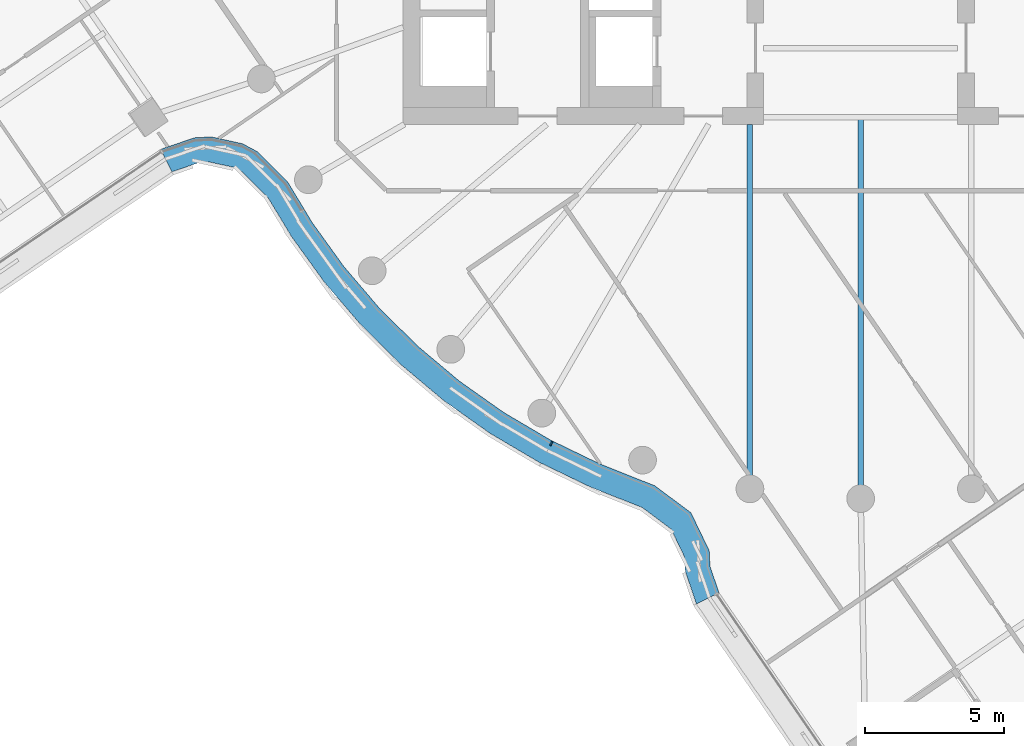
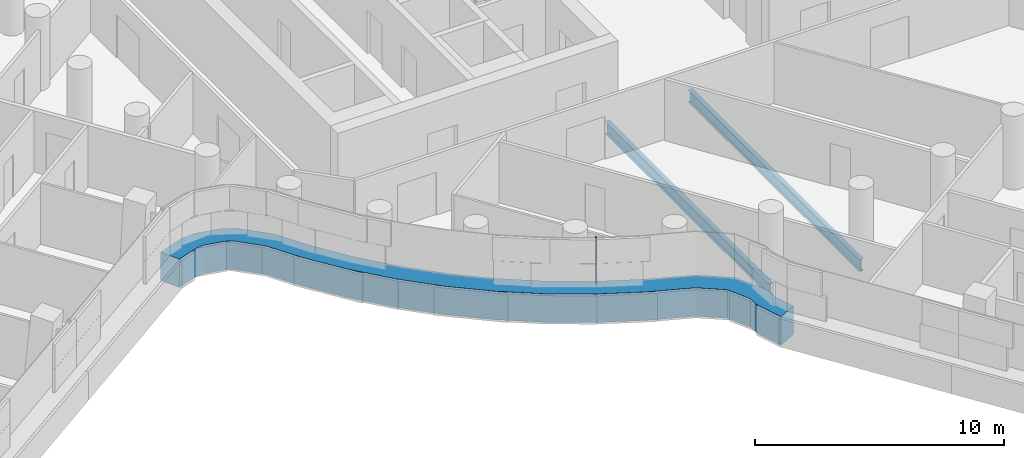
# One storey, part 6 of 33: 2 beams, 2 members, 1 element without a shape of its own.
"""IFC4 building model written with IfcOpenShell, lengths in metres."""

from ifc_helpers import new_model, si_unit, direction, frame, origin, origin_2d, place, context, subcontext, project, spatial, polyline, rectangle, i_section, outline, extrude, material, layer, layer_set, material_profile, profile_set, type_object, element, aggregate, save


model = new_model("IFC4")

# Units and contexts
model_context = context("Model", 3, precision=1e-05, world=origin(), true_north=direction((0.0, 1.0)))
body_context = subcontext(model_context, "Body", "Model", "MODEL_VIEW")
ifc_project = project(units=[si_unit("LENGTHUNIT", "METRE"), si_unit("AREAUNIT", "SQUARE_METRE"), si_unit("VOLUMEUNIT", "CUBIC_METRE"), si_unit("PLANEANGLEUNIT", "RADIAN"), si_unit("MASSUNIT", "GRAM", prefix="KILO")], contexts=[model_context])

# Site, building, storey
site_placement = place(None, origin())
site = spatial("IfcSite", under=ifc_project, at=site_placement, CompositionType="ELEMENT")
building_placement = place(site_placement, origin())
building = spatial("IfcBuilding", under=site, at=building_placement, Name="Tamarind Cross Interchange Tower", CompositionType="ELEMENT")
storey_placement = place(building_placement, frame((0.0, 0.0, 159.25)))
storey = spatial("IfcBuildingStorey", under=building, at=storey_placement, Name="L39", CompositionType="ELEMENT", Elevation=159.25)

# Beams
ifc_material_1 = material(Name="Steel Q355B", Category="steel")
ifc_material_profile_1 = material_profile(ifc_material_1, i_section(OverallWidth=0.198974609375, OverallDepth=0.595947265625, WebThickness=0.010009765625, FlangeThickness=0.014892578125, FilletRadius=0.012939453125, at=origin_2d()), Name="HN 596x199x10x15")
ifc_profile_set_1 = profile_set([ifc_material_profile_1], Name="Steel Q355B")
beam_type = type_object("IfcBeamType", Name="Composite beam HN 596x199x10x15 Q355B", PredefinedType="BEAM", material=ifc_profile_set_1)
beam_1_placement = place(storey_placement, frame((-3.993896484375, -22.650634765625, -0.43798828125), z_axis=(0.0, 1.0, 0.0), x_axis=(-1.0, 0.0, 0.0)))
element("IfcBeam", 1, at=beam_1_placement, inside=storey, type_object=beam_type, Name="Beam HH26", PredefinedType="BEAM", context=body_context, shape_type="SweptSolid", body=[
    extrude(i_section(OverallWidth=0.198974609375, OverallDepth=0.595947265625, WebThickness=0.010009765625, FlangeThickness=0.014892578125, FilletRadius=0.012939453125, at=origin_2d()), origin(), (0.0, 0.0, 1.0), 13.150634765625),
])
beam_2_placement = place(storey_placement, frame((0.0, -23.0, -0.43798828125), z_axis=(0.0, 1.0, 0.0), x_axis=(-1.0, 0.0, 0.0)))
element("IfcBeam", 2, at=beam_2_placement, inside=storey, type_object=beam_type, Name="Beam HH27", PredefinedType="BEAM", context=body_context, shape_type="SweptSolid", body=[
    extrude(i_section(OverallWidth=0.198974609375, OverallDepth=0.595947265625, WebThickness=0.010009765625, FlangeThickness=0.014892578125, FilletRadius=0.012939453125, at=origin_2d()), origin(), (0.0, 0.0, 1.0), 13.75),
])

# Curtain wall, members
ifc_material_2 = material(Name="Aluminium 6063-T6", Category="aluminium")
ifc_layer = layer(ifc_material_2, 0.159912109375)
ifc_layer_set = layer_set([ifc_layer], Name="Aluminium 6063-T6")
curtain_wall_type = type_object("IfcCurtainWallType", Name="Office curtain wall, 9.0 m bays", PredefinedType="NOTDEFINED", material=ifc_layer_set)
curtain_wall_placement = place(storey_placement, origin())
curtain_wall = element("IfcCurtainWall", 3, at=curtain_wall_placement, inside=storey, type_object=curtain_wall_type, Name="CWS-L39-02", PredefinedType="NOTDEFINED")
ifc_material_3 = material(Name="Aluminium and insulated spandrel panel", Category="aluminium")
member_type_1 = type_object("IfcMemberType", Name="Floor-edge blade transom", PredefinedType="USERDEFINED", material=ifc_material_3)
member_1_placement = place(storey_placement, origin())
member_1 = element("IfcMember", 4, at=member_1_placement, type_object=member_type_1, Name="CWT-L39-02", ObjectType="TRANSOM", PredefinedType="USERDEFINED", context=body_context, shape_type="SweptSolid", body=[
    extrude(outline(polyline([(-25.25, -10.404296875), (-24.032958984375, -9.98828125), (-23.42333984375, -9.953857421875), (-22.30126953125, -10.199951171875), (-21.7587890625, -10.488037109375), (-20.66015625, -11.58740234375), (-19.78125, -13.04541015625), (-18.636474609375, -14.634521484375), (-17.3642578125, -16.12353515625), (-15.973388671875, -17.50244140625), (-14.4736328125, -18.76171875), (-12.874755859375, -19.892822265625), (-11.188232421875, -20.88818359375), (-9.42333984375, -21.741455078125), (-7.42529296875, -22.53759765625), (-6.125, -23.505615234375), (-5.462890625, -24.876708984375), (-5.43212890625, -25.447265625), (-5.1103515625, -26.393798828125), (-5.922607421875, -26.801025390625), (-6.32421875, -25.61962890625), (-6.35205078125, -25.10546875), (-6.839599609375, -24.095703125), (-7.8681640625, -23.330078125), (-9.786376953125, -22.565673828125), (-11.613525390625, -21.68212890625), (-13.3642578125, -20.64892578125), (-15.023681640625, -19.474853515625), (-16.580810546875, -18.167724609375), (-18.0244140625, -16.736572265625), (-19.344970703125, -15.19091796875), (-20.533203125, -13.541748046875), (-21.374267578125, -12.14599609375), (-22.300048828125, -11.219482421875), (-22.614501953125, -11.052490234375), (-23.49560546875, -10.859375), (-23.858642578125, -10.8798828125), (-24.84326171875, -11.21630859375), (-25.25, -10.404296875)])), origin(), (0.0, 0.0, 1.0), 1.39990234375),
])
ifc_material_profile_2 = material_profile(ifc_material_2, rectangle(XDim=0.06005859375, YDim=0.159912109375, at=origin_2d()), Name="Mullion CW1")
ifc_profile_set_2 = profile_set([ifc_material_profile_2], Name="Aluminium 6063-T6")
member_type_2 = type_object("IfcMemberType", Name="Mullion CW1", PredefinedType="MULLION", material=ifc_profile_set_2)
member_2_placement = place(storey_placement, frame((-11.154296875, -21.015380859375, 1.39990234375), z_axis=(0.0, 0.0, 1.0), x_axis=(0.900272776334, -0.435326231914, 0.0)))
member_2 = element("IfcMember", 5, at=member_2_placement, type_object=member_type_2, Name="CWM-L39-02-02", PredefinedType="MULLION", context=body_context, shape_type="SweptSolid", body=[
    extrude(rectangle(XDim=0.06005859375, YDim=0.159912109375, at=origin_2d()), origin(), (0.0, 0.0, 1.0), 2.210205078125),
])
aggregate(curtain_wall, [member_2, member_1])

save(model, "model.ifc")
